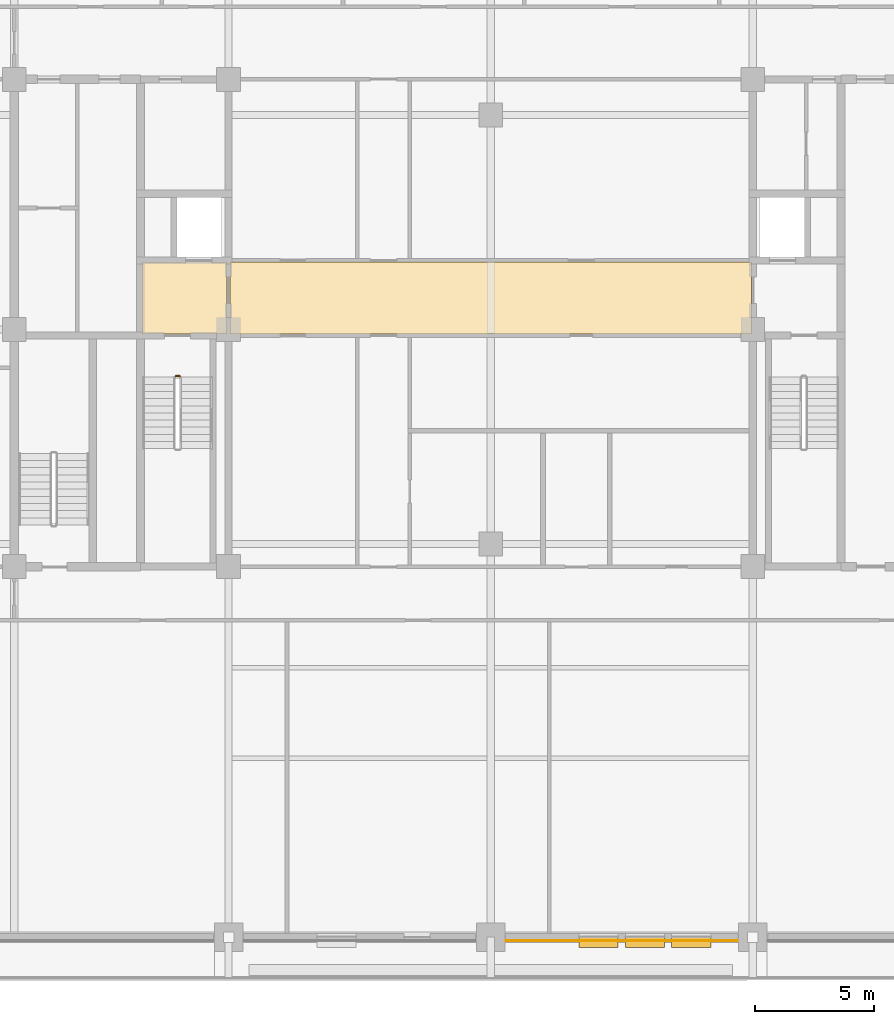
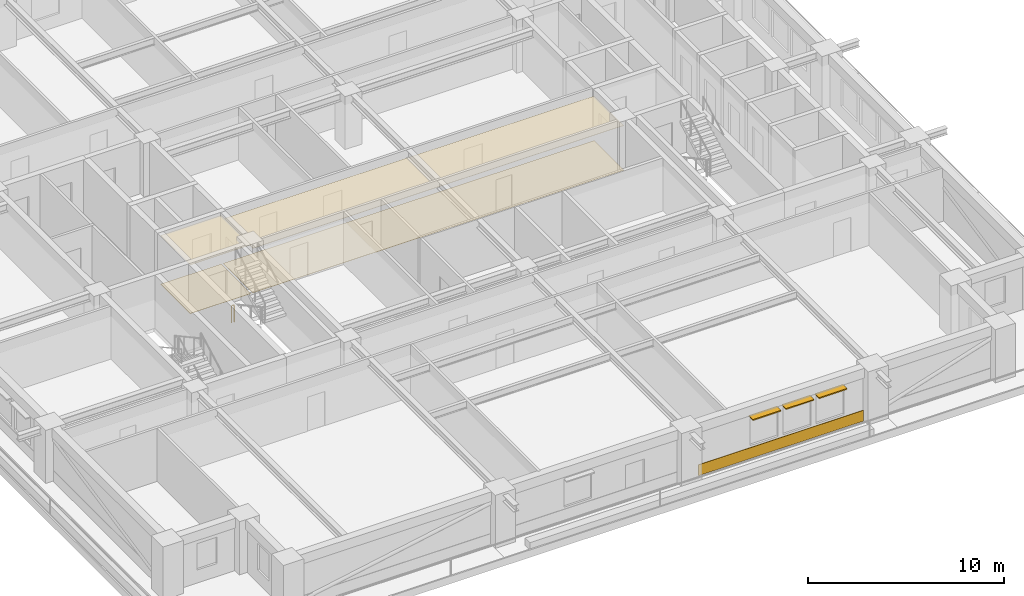
# One storey, part 13 of 15: 5 coverings, 3 shading devices, 1 railing.
"""IFC4 building model written with IfcOpenShell, lengths in metres."""

from ifc_helpers import new_model, si_unit, direction, frame, frame_2d, origin, origin_2d, place, context, subcontext, project, spatial, polyline, rectangle, outline, extrude, material, layer, layer_set, type_object, element, save


model = new_model("IFC4")

# Units and contexts
model_context = context("Model", 3, precision=1e-05, world=origin(), true_north=direction((0.0, 1.0)))
body_context = subcontext(model_context, "Body", "Model", "MODEL_VIEW")
ifc_project = project(units=[si_unit("LENGTHUNIT", "METRE"), si_unit("AREAUNIT", "SQUARE_METRE"), si_unit("VOLUMEUNIT", "CUBIC_METRE"), si_unit("PLANEANGLEUNIT", "RADIAN"), si_unit("MASSUNIT", "GRAM", prefix="KILO")], contexts=[model_context])

# Site, building, storey
site_placement = place(None, origin())
site = spatial("IfcSite", under=ifc_project, at=site_placement, CompositionType="ELEMENT")
building_placement = place(site_placement, origin())
building = spatial("IfcBuilding", under=site, at=building_placement, Name="Zulmaris Gate Convention Tower", CompositionType="ELEMENT")
storey_placement = place(building_placement, frame((0.0, 0.0, 128.48974609375)))
storey = spatial("IfcBuildingStorey", under=building, at=storey_placement, Name="L32", CompositionType="ELEMENT", Elevation=128.48974609375)

# Coverings
ifc_material_1 = material(Name="Precast concrete C40/50", Category="concrete")
ifc_layer_1 = layer(ifc_material_1, 0.0400390625, Name="Precast concrete C40/50")
ifc_layer_set_1 = layer_set([ifc_layer_1], Name="Precast concrete C40/50")
covering_type_1 = type_object("IfcCoveringType", Name="CLAD-SPANDREL-PRECAST", PredefinedType="CLADDING", material=ifc_layer_set_1)
covering_1_placement = place(storey_placement, frame((0.6298828125, -25.64990234375, 0.0), z_axis=(0.0, 0.0, 1.0), x_axis=(1.0, 0.0, 0.0)))
element("IfcCovering", 1, at=covering_1_placement, inside=storey, type_object=covering_type_1, Name="CLD-L32-S-2_0", PredefinedType="CLADDING", context=body_context, shape_type="SweptSolid", body=[
    extrude(rectangle(XDim=9.740234375, YDim=0.0400390625, at=frame_2d((4.8701171875, 0.0))), origin(), (0.0, 0.0, 1.0), 0.679931640625),
])
ifc_material_2 = material(Name="Mineral Fibre Acoustic Ceiling Tile")
ifc_layer_2 = layer(ifc_material_2, 0.02001953125, Name="Mineral Fibre Acoustic Ceiling Tile")
ifc_layer_set_2 = layer_set([ifc_layer_2], Name="Mineral Fibre Acoustic Ceiling Tile")
covering_type_2 = type_object("IfcCoveringType", Name="CLG-ACOUSTIC-600", PredefinedType="CEILING", material=ifc_layer_set_2)
covering_2_placement = place(storey_placement, frame((0.0, 0.0, 3.0400390625)))
element("IfcCovering", 2, at=covering_2_placement, inside=storey, type_object=covering_type_2, Name="CLG-L32-R03", PredefinedType="CEILING", context=body_context, shape_type="SweptSolid", body=[
    extrude(outline(polyline([(-14.639892578125, -0.18994140625), (-11.06005859375, -0.18994140625), (-11.06005859375, 2.840087890625), (-14.639892578125, 2.840087890625), (-14.639892578125, -0.18994140625)])), origin(), (0.0, 0.0, 1.0), 0.02001953125),
])
covering_3_placement = place(storey_placement, frame((0.0, 0.0, 2.778076171875)))
element("IfcCovering", 3, at=covering_3_placement, inside=storey, type_object=covering_type_2, Name="CLG-L32-R30", PredefinedType="CEILING", context=body_context, shape_type="SweptSolid", body=[
    extrude(outline(polyline([(-10.93994140625, -0.18994140625), (10.93994140625, -0.18994140625), (10.93994140625, 2.840087890625), (-10.93994140625, 2.840087890625), (-10.93994140625, -0.18994140625)])), origin(), (0.0, 0.0, 1.0), 0.02001953125),
])
ifc_material_3 = material(Name="Woven Acoustic Wool Carpet Tile")
ifc_layer_3 = layer(ifc_material_3, 0.02001953125, Name="Woven Acoustic Wool Carpet Tile")
ifc_layer_set_3 = layer_set([ifc_layer_3], Name="Woven Acoustic Wool Carpet Tile")
covering_type_3 = type_object("IfcCoveringType", Name="FLR-CARPET-12", PredefinedType="FLOORING", material=ifc_layer_set_3)
covering_4_placement = place(storey_placement, origin())
element("IfcCovering", 4, at=covering_4_placement, inside=storey, type_object=covering_type_3, Name="FLR-L32-R03", PredefinedType="FLOORING", context=body_context, shape_type="SweptSolid", body=[
    extrude(outline(polyline([(-14.639892578125, -0.18994140625), (-11.06005859375, -0.18994140625), (-11.06005859375, 2.840087890625), (-14.639892578125, 2.840087890625), (-14.639892578125, -0.18994140625)])), origin(), (0.0, 0.0, 1.0), 0.02001953125),
])
covering_5_placement = place(storey_placement, origin())
element("IfcCovering", 5, at=covering_5_placement, inside=storey, type_object=covering_type_3, Name="FLR-L32-R30", PredefinedType="FLOORING", context=body_context, shape_type="SweptSolid", body=[
    extrude(outline(polyline([(-10.93994140625, -0.18994140625), (10.93994140625, -0.18994140625), (10.93994140625, 2.840087890625), (-10.93994140625, 2.840087890625), (-10.93994140625, -0.18994140625)])), origin(), (0.0, 0.0, 1.0), 0.02001953125),
])

# Railing
ifc_material_4 = material(Name="Painted Galvanised Steel", Category="steel")
railing_type = type_object("IfcRailingType", Name="RL-STG-1150", PredefinedType="GUARDRAIL", material=ifc_material_4)
railing_placement = place(storey_placement, frame((-13.219970703125, -1.949951171875, 0.0)))
element("IfcRailing", 6, at=railing_placement, inside=storey, type_object=railing_type, Name="L32 ST-1 stair guard 4", PredefinedType="GUARDRAIL", context=body_context, shape_type="SweptSolid", body=[
    extrude(rectangle(XDim=0.048095703125, YDim=0.048095703125, at=origin_2d()), frame((0.0, 0.0, 1.076171875), z_axis=(1.0, 0.0, 0.0), x_axis=(0.0, 1.0, 0.0)), (0.0, 0.0, 1.0), 0.159912109375),
    extrude(rectangle(XDim=0.0419921875, YDim=0.0419921875, at=origin_2d()), origin(), (0.0, 0.0, 1.0), 1.052001953125),
    extrude(rectangle(XDim=0.0419921875, YDim=0.0419921875, at=origin_2d()), frame((0.159912109375, 0.0, 0.0)), (0.0, 0.0, 1.0), 1.052001953125),
])

# Shading devices
ifc_material_5 = material(Name="Glazed Ceramic Terracotta", Category="masonry")
ifc_layer_4 = layer(ifc_material_5, 0.070068359375, Name="Glazed Ceramic Terracotta")
ifc_layer_set_4 = layer_set([ifc_layer_4], Name="Glazed Ceramic Terracotta")
shading_device_type = type_object("IfcShadingDeviceType", Name="SHD-SUNSHADE-TC", PredefinedType="AWNING", material=ifc_layer_set_4)
for number, where, z_axis, x_axis, name in (
    (7, (3.700927734375, -25.719970703125, 2.530029296875), (0.0, 0.0, 1.0), (1.0, 0.0, 0.0), "SHD-EW-L32-S-2_0-2"),
    (8, (5.64892578125, -25.719970703125, 2.530029296875), (0.0, 0.0, 1.0), (1.0, 0.0, 0.0), "SHD-EW-L32-S-2_0-3"),
    (9, (7.596923828125, -25.719970703125, 2.530029296875), (0.0, 0.0, 1.0), (1.0, 0.0, 0.0), "SHD-EW-L32-S-2_0-4"),
):
    element("IfcShadingDevice", number, at=place(storey_placement, frame(where, z_axis=z_axis, x_axis=x_axis)), inside=storey, type_object=shading_device_type, Name=name, PredefinedType="AWNING", context=body_context, shape_type="SweptSolid", body=[
        extrude(rectangle(XDim=1.650146484375, YDim=0.43994140625, at=frame_2d((0.8251953125, 0.0))), origin(), (0.0, 0.0, 1.0), 0.06982421875),
    ])

save(model, "model.ifc")
